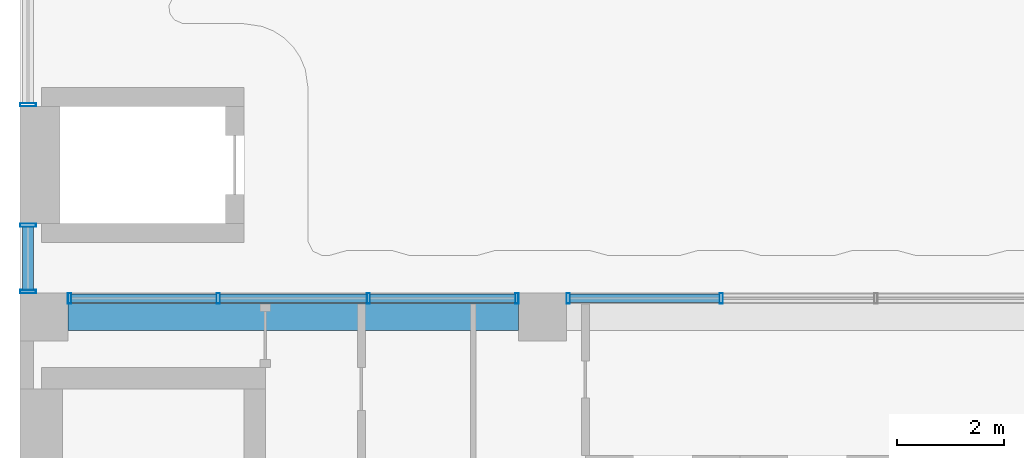
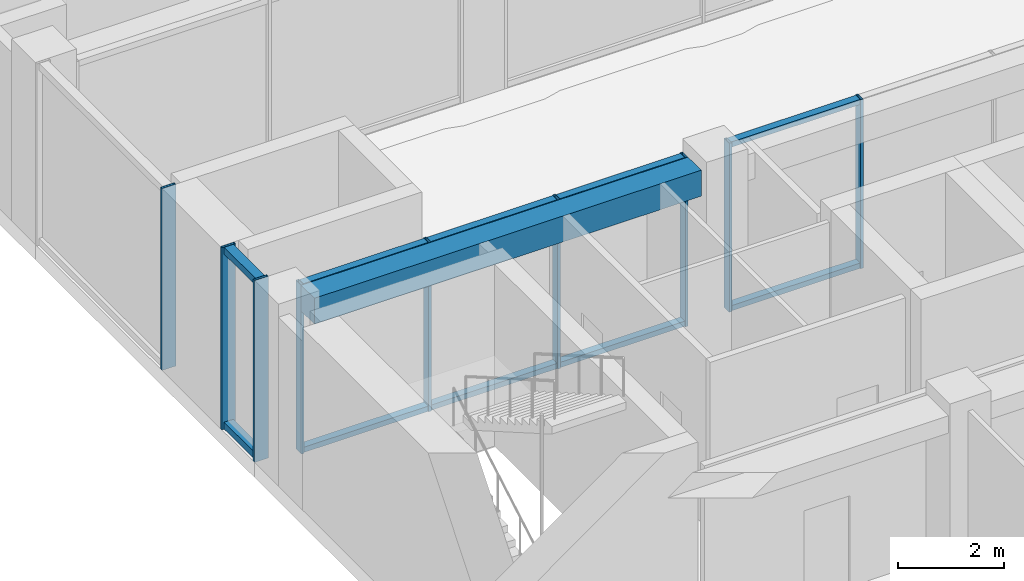
# One storey, part 6 of 72: 19 members, 1 beam, 4 elements without a shape of their own.
"""IFC4 building model written with IfcOpenShell, lengths in metres."""

from ifc_helpers import new_model, si_unit, direction, frame, origin, origin_2d, place, context, subcontext, project, spatial, rectangle, hollow_rectangle, extrude, material, layer, layer_set, material_profile, profile_set, type_object, element, aggregate, save


model = new_model("IFC4")

# Units and contexts
model_context = context("Model", 3, precision=1e-05, world=origin(), true_north=direction((0.0, 1.0)))
body_context = subcontext(model_context, "Body", "Model", "MODEL_VIEW")
ifc_project = project(units=[si_unit("LENGTHUNIT", "METRE"), si_unit("AREAUNIT", "SQUARE_METRE"), si_unit("VOLUMEUNIT", "CUBIC_METRE"), si_unit("PLANEANGLEUNIT", "RADIAN"), si_unit("MASSUNIT", "GRAM", prefix="KILO")], contexts=[model_context])

# Site, building, storey
site_placement = place(None, origin())
site = spatial("IfcSite", under=ifc_project, at=site_placement, CompositionType="ELEMENT")
building_placement = place(site_placement, origin())
building = spatial("IfcBuilding", under=site, at=building_placement, Name="Nzadi Deep Aquarium and Research Tower", CompositionType="ELEMENT")
storey_placement = place(building_placement, frame((0.0, 0.0, 31.89990234375)))
storey = spatial("IfcBuildingStorey", under=building, at=storey_placement, Name="L05", CompositionType="ELEMENT", Elevation=31.89990234375)

# Curtain wall, members
ifc_material_1 = material(Name="Aluminium unitised frame", Category="aluminium")
ifc_layer_1 = layer(ifc_material_1, 0.199951171875)
ifc_layer_set_1 = layer_set([ifc_layer_1], Name="Aluminium unitised frame")
curtain_wall_type_1 = type_object("IfcCurtainWallType", Name="Curtain wall Unitised 200", PredefinedType="NOTDEFINED", material=ifc_layer_set_1)
curtain_wall_1_placement = place(storey_placement, origin())
curtain_wall_1 = element("IfcCurtainWall", 1, at=curtain_wall_1_placement, inside=storey, type_object=curtain_wall_type_1, Name="Unitised curtain wall blade A north L05", PredefinedType="NOTDEFINED")
ifc_material_2 = material(Name="Aluminium unitised frame", Category="aluminium")
ifc_material_profile_1 = material_profile(ifc_material_2, hollow_rectangle(XDim=0.199951171875, YDim=0.06005859375, WallThickness=0.0048828125, at=origin_2d()))
ifc_profile_set_1 = profile_set([ifc_material_profile_1], Name="Aluminium unitised frame")
member_type_1 = type_object("IfcMemberType", Name="Mullion 60x200 Unitised", PredefinedType="MULLION", material=ifc_profile_set_1)
member_1_placement = place(storey_placement, frame((0.72998046875, 18.75, 0.0), z_axis=(0.0, 0.0, 1.0), x_axis=(0.0, 1.0, 0.0)))
member_1 = element("IfcMember", 2, at=member_1_placement, type_object=member_type_1, Name="CW002 mullion 1", PredefinedType="MULLION", context=body_context, shape_type="SweptSolid", body=[
    extrude(hollow_rectangle(XDim=0.199951171875, YDim=0.06005859375, WallThickness=0.0048828125, at=origin_2d()), origin(), (0.0, 0.0, 1.0), 3.900146484375),
])
member_2_placement = place(storey_placement, frame((3.5166015625, 18.75, 0.0), z_axis=(0.0, 0.0, 1.0), x_axis=(0.0, 1.0, 0.0)))
member_2 = element("IfcMember", 3, at=member_2_placement, type_object=member_type_1, Name="CW002 mullion 2", PredefinedType="MULLION", context=body_context, shape_type="SweptSolid", body=[
    extrude(hollow_rectangle(XDim=0.199951171875, YDim=0.06005859375, WallThickness=0.0048828125, at=origin_2d()), origin(), (0.0, 0.0, 1.0), 3.900146484375),
])
member_3_placement = place(storey_placement, frame((6.333251953125, 18.75, 0.0), z_axis=(0.0, 0.0, 1.0), x_axis=(0.0, 1.0, 0.0)))
member_3 = element("IfcMember", 4, at=member_3_placement, type_object=member_type_1, Name="CW002 mullion 3", PredefinedType="MULLION", context=body_context, shape_type="SweptSolid", body=[
    extrude(hollow_rectangle(XDim=0.199951171875, YDim=0.06005859375, WallThickness=0.0048828125, at=origin_2d()), origin(), (0.0, 0.0, 1.0), 3.900146484375),
])
member_4_placement = place(storey_placement, frame((9.1201171875, 18.75, 0.0), z_axis=(0.0, 0.0, 1.0), x_axis=(0.0, 1.0, 0.0)))
member_4 = element("IfcMember", 5, at=member_4_placement, type_object=member_type_1, Name="CW002 mullion 4", PredefinedType="MULLION", context=body_context, shape_type="SweptSolid", body=[
    extrude(hollow_rectangle(XDim=0.199951171875, YDim=0.06005859375, WallThickness=0.0048828125, at=origin_2d()), origin(), (0.0, 0.0, 1.0), 3.900146484375),
])

curtain_wall_2_placement = place(storey_placement, origin())
curtain_wall_2 = element("IfcCurtainWall", 6, at=curtain_wall_2_placement, inside=storey, type_object=curtain_wall_type_1, Name="Unitised curtain wall blade A north L05", PredefinedType="NOTDEFINED")
member_5_placement = place(storey_placement, frame((10.080078125, 18.75, 0.0), z_axis=(0.0, 0.0, 1.0), x_axis=(0.0, 1.0, 0.0)))
member_5 = element("IfcMember", 7, at=member_5_placement, type_object=member_type_1, Name="CW003 mullion 1", PredefinedType="MULLION", context=body_context, shape_type="SweptSolid", body=[
    extrude(hollow_rectangle(XDim=0.199951171875, YDim=0.06005859375, WallThickness=0.0048828125, at=origin_2d()), origin(), (0.0, 0.0, 1.0), 3.900146484375),
])
member_6_placement = place(storey_placement, frame((12.949951171875, 18.75, 0.0), z_axis=(0.0, 0.0, 1.0), x_axis=(0.0, 1.0, 0.0)))
member_6 = element("IfcMember", 8, at=member_6_placement, type_object=member_type_1, Name="CW003 mullion 2", PredefinedType="MULLION", context=body_context, shape_type="SweptSolid", body=[
    extrude(hollow_rectangle(XDim=0.199951171875, YDim=0.06005859375, WallThickness=0.0048828125, at=origin_2d()), origin(), (0.0, 0.0, 1.0), 3.900146484375),
])

ifc_material_3 = material(Name="Aluminium unitised frame wind post", Category="aluminium")
ifc_layer_2 = layer(ifc_material_3, 0.300048828125)
ifc_layer_set_2 = layer_set([ifc_layer_2], Name="Aluminium unitised frame wind post")
curtain_wall_type_2 = type_object("IfcCurtainWallType", Name="Curtain wall Slot End 300", PredefinedType="NOTDEFINED", material=ifc_layer_set_2)
curtain_wall_3_placement = place(storey_placement, origin())
curtain_wall_3 = element("IfcCurtainWall", 9, at=curtain_wall_3_placement, inside=storey, type_object=curtain_wall_type_2, Name="Glazed slot end west L05", PredefinedType="NOTDEFINED")
ifc_material_4 = material(Name="Aluminium unitised frame wind post", Category="aluminium")
ifc_material_profile_2 = material_profile(ifc_material_4, hollow_rectangle(XDim=0.300048828125, YDim=0.06005859375, WallThickness=0.0048828125, at=origin_2d()))
ifc_profile_set_2 = profile_set([ifc_material_profile_2], Name="Aluminium unitised frame wind post")
member_type_2 = type_object("IfcMemberType", Name="Mullion 60x300 Slot End", PredefinedType="MULLION", material=ifc_profile_set_2)
member_7_placement = place(storey_placement, frame((-0.049560546875, 18.8798828125, 0.0), z_axis=(0.0, 0.0, 1.0), x_axis=(-1.0, 0.0, 0.0)))
member_7 = element("IfcMember", 10, at=member_7_placement, type_object=member_type_2, Name="CW200 mullion 1", PredefinedType="MULLION", context=body_context, shape_type="SweptSolid", body=[
    extrude(hollow_rectangle(XDim=0.300048828125, YDim=0.06005859375, WallThickness=0.0048828125, at=origin_2d()), origin(), (0.0, 0.0, 1.0), 4.2001953125),
])
member_8_placement = place(storey_placement, frame((-0.049560546875, 20.1201171875, 0.0), z_axis=(0.0, 0.0, 1.0), x_axis=(-1.0, 0.0, 0.0)))
member_8 = element("IfcMember", 11, at=member_8_placement, type_object=member_type_2, Name="CW200 mullion 2", PredefinedType="MULLION", context=body_context, shape_type="SweptSolid", body=[
    extrude(hollow_rectangle(XDim=0.300048828125, YDim=0.06005859375, WallThickness=0.0048828125, at=origin_2d()), origin(), (0.0, 0.0, 1.0), 4.2001953125),
])

# Curtain wall, member
curtain_wall_4_placement = place(storey_placement, origin())
curtain_wall_4 = element("IfcCurtainWall", 12, at=curtain_wall_4_placement, inside=storey, type_object=curtain_wall_type_2, Name="Glazed slot end west L05", PredefinedType="NOTDEFINED")
member_9_placement = place(storey_placement, frame((-0.049560546875, 22.3798828125, 0.0), z_axis=(0.0, 0.0, 1.0), x_axis=(-1.0, 0.0, 0.0)))
member_9 = element("IfcMember", 13, at=member_9_placement, type_object=member_type_2, Name="CW201 mullion 1", PredefinedType="MULLION", context=body_context, shape_type="SweptSolid", body=[
    extrude(hollow_rectangle(XDim=0.300048828125, YDim=0.06005859375, WallThickness=0.0048828125, at=origin_2d()), origin(), (0.0, 0.0, 1.0), 4.2001953125),
])
aggregate(curtain_wall_4, [member_9])

# Beam
ifc_material_5 = material(Name="Concrete C35/45", Category="concrete")
ifc_material_profile_3 = material_profile(ifc_material_5, rectangle(XDim=0.5, YDim=0.60009765625, at=origin_2d()))
ifc_profile_set_3 = profile_set([ifc_material_profile_3], Name="Concrete C35/45")
beam_type = type_object("IfcBeamType", Name="RC 500x600", PredefinedType="BEAM", material=ifc_profile_set_3)
beam_placement = place(storey_placement, frame((0.699951171875, 18.39990234375, 3.60009765625), z_axis=(1.0, 0.0, 0.0), x_axis=(0.0, 1.0, 0.0)))
element("IfcBeam", 14, at=beam_placement, inside=storey, type_object=beam_type, Name="B-Z1-L05-L3-1", PredefinedType="BEAM", context=body_context, shape_type="SweptSolid", body=[
    extrude(rectangle(XDim=0.5, YDim=0.60009765625, at=origin_2d()), origin(), (0.0, 0.0, 1.0), 8.449951171875),
])

# Member
ifc_material_6 = material(Name="Aluminium unitised frame", Category="aluminium")
ifc_material_profile_4 = material_profile(ifc_material_6, hollow_rectangle(XDim=0.159912109375, YDim=0.1201171875, WallThickness=0.0048828125, at=origin_2d()))
ifc_profile_set_4 = profile_set([ifc_material_profile_4], Name="Aluminium unitised frame")
member_type_3 = type_object("IfcMemberType", Name="Transom 120x160 Unitised", PredefinedType="MULLION", material=ifc_profile_set_4)
member_10_placement = place(storey_placement, frame((0.760009765625, 18.75, 0.06005859375), z_axis=(1.0, 0.0, 0.0), x_axis=(0.0, 1.0, 0.0)))
member_10 = element("IfcMember", 15, at=member_10_placement, type_object=member_type_3, Name="CW002 transom 1.1", PredefinedType="MULLION", context=body_context, shape_type="SweptSolid", body=[
    extrude(hollow_rectangle(XDim=0.159912109375, YDim=0.1201171875, WallThickness=0.0048828125, at=origin_2d()), origin(), (0.0, 0.0, 1.0), 2.7265625),
])

member_11_placement = place(storey_placement, frame((0.760009765625, 18.75, 3.840087890625), z_axis=(1.0, 0.0, 0.0), x_axis=(0.0, 1.0, 0.0)))
member_11 = element("IfcMember", 16, at=member_11_placement, type_object=member_type_3, Name="CW002 transom 1.2", PredefinedType="MULLION", context=body_context, shape_type="SweptSolid", body=[
    extrude(hollow_rectangle(XDim=0.159912109375, YDim=0.1201171875, WallThickness=0.0048828125, at=origin_2d()), origin(), (0.0, 0.0, 1.0), 2.7265625),
])

member_12_placement = place(storey_placement, frame((3.546630859375, 18.75, 0.06005859375), z_axis=(1.0, 0.0, 0.0), x_axis=(0.0, 1.0, 0.0)))
member_12 = element("IfcMember", 17, at=member_12_placement, type_object=member_type_3, Name="CW002 transom 2.1", PredefinedType="MULLION", context=body_context, shape_type="SweptSolid", body=[
    extrude(hollow_rectangle(XDim=0.159912109375, YDim=0.1201171875, WallThickness=0.0048828125, at=origin_2d()), origin(), (0.0, 0.0, 1.0), 2.756591796875),
])

member_13_placement = place(storey_placement, frame((3.546630859375, 18.75, 3.840087890625), z_axis=(1.0, 0.0, 0.0), x_axis=(0.0, 1.0, 0.0)))
member_13 = element("IfcMember", 18, at=member_13_placement, type_object=member_type_3, Name="CW002 transom 2.2", PredefinedType="MULLION", context=body_context, shape_type="SweptSolid", body=[
    extrude(hollow_rectangle(XDim=0.159912109375, YDim=0.1201171875, WallThickness=0.0048828125, at=origin_2d()), origin(), (0.0, 0.0, 1.0), 2.756591796875),
])

member_14_placement = place(storey_placement, frame((6.36328125, 18.75, 0.06005859375), z_axis=(1.0, 0.0, 0.0), x_axis=(0.0, 1.0, 0.0)))
member_14 = element("IfcMember", 19, at=member_14_placement, type_object=member_type_3, Name="CW002 transom 3.1", PredefinedType="MULLION", context=body_context, shape_type="SweptSolid", body=[
    extrude(hollow_rectangle(XDim=0.159912109375, YDim=0.1201171875, WallThickness=0.0048828125, at=origin_2d()), origin(), (0.0, 0.0, 1.0), 2.726806640625),
])

member_15_placement = place(storey_placement, frame((6.36328125, 18.75, 3.840087890625), z_axis=(1.0, 0.0, 0.0), x_axis=(0.0, 1.0, 0.0)))
member_15 = element("IfcMember", 20, at=member_15_placement, type_object=member_type_3, Name="CW002 transom 3.2", PredefinedType="MULLION", context=body_context, shape_type="SweptSolid", body=[
    extrude(hollow_rectangle(XDim=0.159912109375, YDim=0.1201171875, WallThickness=0.0048828125, at=origin_2d()), origin(), (0.0, 0.0, 1.0), 2.726806640625),
])

aggregate(curtain_wall_1, [member_1, member_2, member_3, member_4, member_10, member_11, member_12, member_13, member_14, member_15])

member_16_placement = place(storey_placement, frame((10.110107421875, 18.75, 0.06005859375), z_axis=(1.0, 0.0, 0.0), x_axis=(0.0, 1.0, 0.0)))
member_16 = element("IfcMember", 21, at=member_16_placement, type_object=member_type_3, Name="CW003 transom 1.1", PredefinedType="MULLION", context=body_context, shape_type="SweptSolid", body=[
    extrude(hollow_rectangle(XDim=0.159912109375, YDim=0.1201171875, WallThickness=0.0048828125, at=origin_2d()), origin(), (0.0, 0.0, 1.0), 2.809814453125),
])

member_17_placement = place(storey_placement, frame((10.110107421875, 18.75, 3.840087890625), z_axis=(1.0, 0.0, 0.0), x_axis=(0.0, 1.0, 0.0)))
member_17 = element("IfcMember", 22, at=member_17_placement, type_object=member_type_3, Name="CW003 transom 1.2", PredefinedType="MULLION", context=body_context, shape_type="SweptSolid", body=[
    extrude(hollow_rectangle(XDim=0.159912109375, YDim=0.1201171875, WallThickness=0.0048828125, at=origin_2d()), origin(), (0.0, 0.0, 1.0), 2.809814453125),
])

aggregate(curtain_wall_2, [member_5, member_6, member_16, member_17])

ifc_material_7 = material(Name="Aluminium unitised frame wind post", Category="aluminium")
ifc_material_profile_5 = material_profile(ifc_material_7, hollow_rectangle(XDim=0.199951171875, YDim=0.159912109375, WallThickness=0.0048828125, at=origin_2d()))
ifc_profile_set_5 = profile_set([ifc_material_profile_5], Name="Aluminium unitised frame wind post")
member_type_4 = type_object("IfcMemberType", Name="Transom 160x200 Slot End", PredefinedType="MULLION", material=ifc_profile_set_5)
member_18_placement = place(storey_placement, frame((-0.050048828125, 18.909912109375, 0.080078125), z_axis=(0.0, 1.0, 0.0), x_axis=(-1.0, 0.0, 0.0)))
member_18 = element("IfcMember", 23, at=member_18_placement, type_object=member_type_4, Name="CW200 transom 1.1", PredefinedType="MULLION", context=body_context, shape_type="SweptSolid", body=[
    extrude(hollow_rectangle(XDim=0.199951171875, YDim=0.159912109375, WallThickness=0.0048828125, at=origin_2d()), origin(), (0.0, 0.0, 1.0), 1.18017578125),
])

member_19_placement = place(storey_placement, frame((-0.050048828125, 18.909912109375, 4.1201171875), z_axis=(0.0, 1.0, 0.0), x_axis=(-1.0, 0.0, 0.0)))
member_19 = element("IfcMember", 24, at=member_19_placement, type_object=member_type_4, Name="CW200 transom 1.2", PredefinedType="MULLION", context=body_context, shape_type="SweptSolid", body=[
    extrude(hollow_rectangle(XDim=0.199951171875, YDim=0.159912109375, WallThickness=0.0048828125, at=origin_2d()), origin(), (0.0, 0.0, 1.0), 1.18017578125),
])

aggregate(curtain_wall_3, [member_7, member_8, member_18, member_19])

save(model, "model.ifc")
